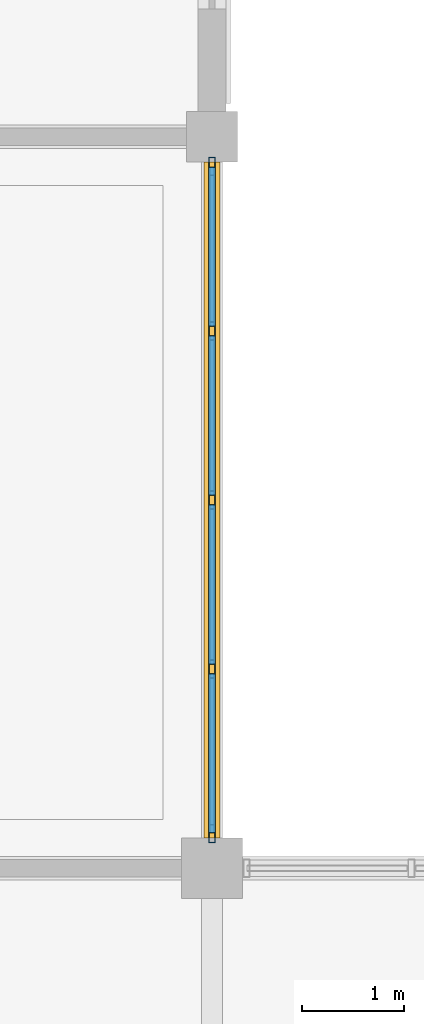
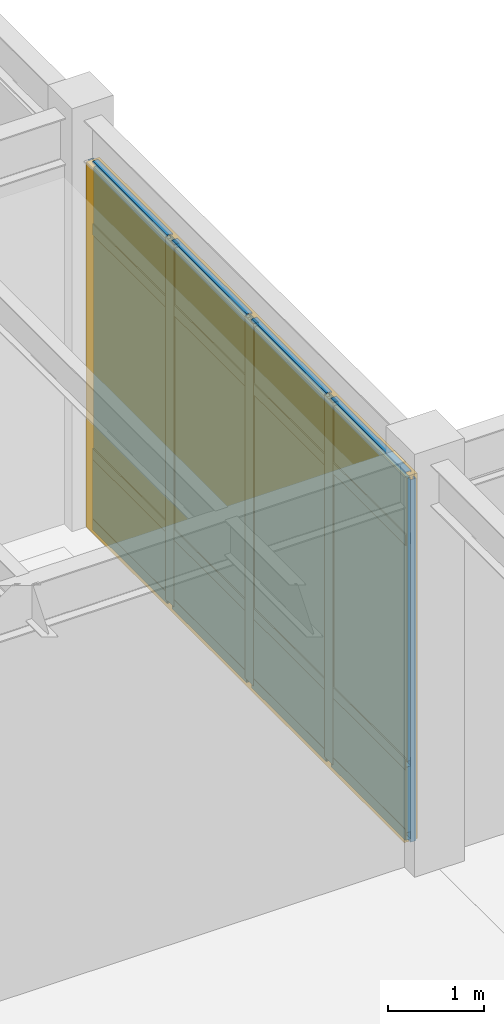
# One storey, part 75 of 97: 21 members, 8 plates, 1 curtain wall.
"""IFC4 building model written with IfcOpenShell, lengths in metres."""

from ifc_helpers import new_model, si_unit, direction, frame, origin, origin_2d, place, context, subcontext, project, spatial, rectangle, hollow_rectangle, extrude, material, layer, layer_set, material_profile, profile_set, type_object, element, aggregate, save


model = new_model("IFC4")

# Units and contexts
model_context = context("Model", 3, precision=1e-05, world=origin(), true_north=direction((0.0, 1.0)))
body_context = subcontext(model_context, "Body", "Model", "MODEL_VIEW")
ifc_project = project(units=[si_unit("LENGTHUNIT", "METRE"), si_unit("AREAUNIT", "SQUARE_METRE"), si_unit("VOLUMEUNIT", "CUBIC_METRE"), si_unit("PLANEANGLEUNIT", "RADIAN"), si_unit("MASSUNIT", "GRAM", prefix="KILO")], contexts=[model_context])

# Member
ifc_material_1 = material(Name="Anodized Aluminium 6063-T6", Category="aluminium")
ifc_material_profile_1 = material_profile(ifc_material_1, hollow_rectangle(XDim=0.06494140625, YDim=0.179931640625, WallThickness=0.00390625, at=origin_2d()), Name="ALU 65x180x4")
ifc_profile_set_1 = profile_set([ifc_material_profile_1], Name="Anodized Aluminium 6063-T6")
member_type_1 = type_object("IfcMemberType", Name="CWM-65X150", PredefinedType="MULLION", material=ifc_profile_set_1)
site_placement = place(None, origin())
building_placement = place(site_placement, origin())
storey_placement = place(building_placement, origin())
member_1_placement = place(storey_placement, frame((115.199951171875, 100.510009765625, 0.02001953125), z_axis=(0.0, 0.0, 1.0), x_axis=(1.0, 0.0, 0.0)))
member_1 = element("IfcMember", 1, at=member_1_placement, type_object=member_type_1, Name="Curtain wall mullion CW-L01-15-13-E-00", PredefinedType="MULLION", context=body_context, shape_type="SweptSolid", body=[
    extrude(hollow_rectangle(XDim=0.06494140625, YDim=0.179931640625, WallThickness=0.00390625, at=origin_2d()), origin(), (0.0, 0.0, 1.0), 4.626953125),
])

member_2_placement = place(storey_placement, frame((115.199951171875, 98.887451171875, 0.02001953125), z_axis=(0.0, 0.0, 1.0), x_axis=(1.0, 0.0, 0.0)))
member_2 = element("IfcMember", 2, at=member_2_placement, type_object=member_type_1, Name="Curtain wall mullion CW-L01-15-13-E-01", PredefinedType="MULLION", context=body_context, shape_type="SweptSolid", body=[
    extrude(hollow_rectangle(XDim=0.06494140625, YDim=0.179931640625, WallThickness=0.00390625, at=origin_2d()), origin(), (0.0, 0.0, 1.0), 4.626953125),
])

member_3_placement = place(storey_placement, frame((115.199951171875, 97.22509765625, 0.02001953125), z_axis=(0.0, 0.0, 1.0), x_axis=(1.0, 0.0, 0.0)))
member_3 = element("IfcMember", 3, at=member_3_placement, type_object=member_type_1, Name="Curtain wall mullion CW-L01-15-13-E-02", PredefinedType="MULLION", context=body_context, shape_type="SweptSolid", body=[
    extrude(hollow_rectangle(XDim=0.06494140625, YDim=0.179931640625, WallThickness=0.00390625, at=origin_2d()), origin(), (0.0, 0.0, 1.0), 4.626953125),
])

member_4_placement = place(storey_placement, frame((115.199951171875, 95.5625, 0.02001953125), z_axis=(0.0, 0.0, 1.0), x_axis=(1.0, 0.0, 0.0)))
member_4 = element("IfcMember", 4, at=member_4_placement, type_object=member_type_1, Name="Curtain wall mullion CW-L01-15-13-E-03", PredefinedType="MULLION", context=body_context, shape_type="SweptSolid", body=[
    extrude(hollow_rectangle(XDim=0.06494140625, YDim=0.179931640625, WallThickness=0.00390625, at=origin_2d()), origin(), (0.0, 0.0, 1.0), 4.626953125),
])

member_5_placement = place(storey_placement, frame((115.199951171875, 93.93994140625, 0.02001953125), z_axis=(0.0, 0.0, 1.0), x_axis=(1.0, 0.0, 0.0)))
member_5 = element("IfcMember", 5, at=member_5_placement, type_object=member_type_1, Name="Curtain wall mullion CW-L01-15-13-E-04", PredefinedType="MULLION", context=body_context, shape_type="SweptSolid", body=[
    extrude(hollow_rectangle(XDim=0.06494140625, YDim=0.179931640625, WallThickness=0.00390625, at=origin_2d()), origin(), (0.0, 0.0, 1.0), 4.626953125),
])

ifc_material_profile_2 = material_profile(ifc_material_1, hollow_rectangle(XDim=0.06494140625, YDim=0.139892578125, WallThickness=0.00390625, at=origin_2d()), Name="ALU 65x140x4")
ifc_profile_set_2 = profile_set([ifc_material_profile_2], Name="Anodized Aluminium 6063-T6")
member_type_2 = type_object("IfcMemberType", Name="CWT-65X120", PredefinedType="USERDEFINED", material=ifc_profile_set_2)
member_6_placement = place(storey_placement, frame((115.199951171875, 100.5, 0.050048828125), z_axis=(0.0, -1.0, 0.0), x_axis=(1.0, 0.0, 0.0)))
member_6 = element("IfcMember", 6, at=member_6_placement, type_object=member_type_2, Name="Curtain wall transom CW-L01-15-13-E-1.01", ObjectType="TRANSOM", PredefinedType="USERDEFINED", context=body_context, shape_type="SweptSolid", body=[
    extrude(hollow_rectangle(XDim=0.06494140625, YDim=0.139892578125, WallThickness=0.00390625, at=origin_2d()), origin(), (0.0, 0.0, 1.0), 1.5625),
])

member_7_placement = place(storey_placement, frame((115.199951171875, 98.83740234375, 0.050048828125), z_axis=(0.0, -1.0, 0.0), x_axis=(1.0, 0.0, 0.0)))
member_7 = element("IfcMember", 7, at=member_7_placement, type_object=member_type_2, Name="Curtain wall transom CW-L01-15-13-E-1.02", ObjectType="TRANSOM", PredefinedType="USERDEFINED", context=body_context, shape_type="SweptSolid", body=[
    extrude(hollow_rectangle(XDim=0.06494140625, YDim=0.139892578125, WallThickness=0.00390625, at=origin_2d()), origin(), (0.0, 0.0, 1.0), 1.5625),
])

member_8_placement = place(storey_placement, frame((115.199951171875, 97.175048828125, 0.050048828125), z_axis=(0.0, -1.0, 0.0), x_axis=(1.0, 0.0, 0.0)))
member_8 = element("IfcMember", 8, at=member_8_placement, type_object=member_type_2, Name="Curtain wall transom CW-L01-15-13-E-1.03", ObjectType="TRANSOM", PredefinedType="USERDEFINED", context=body_context, shape_type="SweptSolid", body=[
    extrude(hollow_rectangle(XDim=0.06494140625, YDim=0.139892578125, WallThickness=0.00390625, at=origin_2d()), origin(), (0.0, 0.0, 1.0), 1.5625),
])

member_9_placement = place(storey_placement, frame((115.199951171875, 95.512451171875, 0.050048828125), z_axis=(0.0, -1.0, 0.0), x_axis=(1.0, 0.0, 0.0)))
member_9 = element("IfcMember", 9, at=member_9_placement, type_object=member_type_2, Name="Curtain wall transom CW-L01-15-13-E-1.04", ObjectType="TRANSOM", PredefinedType="USERDEFINED", context=body_context, shape_type="SweptSolid", body=[
    extrude(hollow_rectangle(XDim=0.06494140625, YDim=0.139892578125, WallThickness=0.00390625, at=origin_2d()), origin(), (0.0, 0.0, 1.0), 1.5625),
])

member_10_placement = place(storey_placement, frame((115.199951171875, 100.5, 0.949951171875), z_axis=(0.0, -1.0, 0.0), x_axis=(1.0, 0.0, 0.0)))
member_10 = element("IfcMember", 10, at=member_10_placement, type_object=member_type_2, Name="Curtain wall transom CW-L01-15-13-E-2.01", ObjectType="TRANSOM", PredefinedType="USERDEFINED", context=body_context, shape_type="SweptSolid", body=[
    extrude(hollow_rectangle(XDim=0.06494140625, YDim=0.139892578125, WallThickness=0.00390625, at=origin_2d()), origin(), (0.0, 0.0, 1.0), 1.5625),
])

member_11_placement = place(storey_placement, frame((115.199951171875, 98.83740234375, 0.949951171875), z_axis=(0.0, -1.0, 0.0), x_axis=(1.0, 0.0, 0.0)))
member_11 = element("IfcMember", 11, at=member_11_placement, type_object=member_type_2, Name="Curtain wall transom CW-L01-15-13-E-2.02", ObjectType="TRANSOM", PredefinedType="USERDEFINED", context=body_context, shape_type="SweptSolid", body=[
    extrude(hollow_rectangle(XDim=0.06494140625, YDim=0.139892578125, WallThickness=0.00390625, at=origin_2d()), origin(), (0.0, 0.0, 1.0), 1.5625),
])

member_12_placement = place(storey_placement, frame((115.199951171875, 97.175048828125, 0.949951171875), z_axis=(0.0, -1.0, 0.0), x_axis=(1.0, 0.0, 0.0)))
member_12 = element("IfcMember", 12, at=member_12_placement, type_object=member_type_2, Name="Curtain wall transom CW-L01-15-13-E-2.03", ObjectType="TRANSOM", PredefinedType="USERDEFINED", context=body_context, shape_type="SweptSolid", body=[
    extrude(hollow_rectangle(XDim=0.06494140625, YDim=0.139892578125, WallThickness=0.00390625, at=origin_2d()), origin(), (0.0, 0.0, 1.0), 1.5625),
])

member_13_placement = place(storey_placement, frame((115.199951171875, 95.512451171875, 0.949951171875), z_axis=(0.0, -1.0, 0.0), x_axis=(1.0, 0.0, 0.0)))
member_13 = element("IfcMember", 13, at=member_13_placement, type_object=member_type_2, Name="Curtain wall transom CW-L01-15-13-E-2.04", ObjectType="TRANSOM", PredefinedType="USERDEFINED", context=body_context, shape_type="SweptSolid", body=[
    extrude(hollow_rectangle(XDim=0.06494140625, YDim=0.139892578125, WallThickness=0.00390625, at=origin_2d()), origin(), (0.0, 0.0, 1.0), 1.5625),
])

member_14_placement = place(storey_placement, frame((115.199951171875, 100.5, 3.81689453125), z_axis=(0.0, -1.0, 0.0), x_axis=(1.0, 0.0, 0.0)))
member_14 = element("IfcMember", 14, at=member_14_placement, type_object=member_type_2, Name="Curtain wall transom CW-L01-15-13-E-3.01", ObjectType="TRANSOM", PredefinedType="USERDEFINED", context=body_context, shape_type="SweptSolid", body=[
    extrude(hollow_rectangle(XDim=0.06494140625, YDim=0.139892578125, WallThickness=0.00390625, at=origin_2d()), origin(), (0.0, 0.0, 1.0), 1.5625),
])

member_15_placement = place(storey_placement, frame((115.199951171875, 98.83740234375, 3.81689453125), z_axis=(0.0, -1.0, 0.0), x_axis=(1.0, 0.0, 0.0)))
member_15 = element("IfcMember", 15, at=member_15_placement, type_object=member_type_2, Name="Curtain wall transom CW-L01-15-13-E-3.02", ObjectType="TRANSOM", PredefinedType="USERDEFINED", context=body_context, shape_type="SweptSolid", body=[
    extrude(hollow_rectangle(XDim=0.06494140625, YDim=0.139892578125, WallThickness=0.00390625, at=origin_2d()), origin(), (0.0, 0.0, 1.0), 1.5625),
])

member_16_placement = place(storey_placement, frame((115.199951171875, 97.175048828125, 3.81689453125), z_axis=(0.0, -1.0, 0.0), x_axis=(1.0, 0.0, 0.0)))
member_16 = element("IfcMember", 16, at=member_16_placement, type_object=member_type_2, Name="Curtain wall transom CW-L01-15-13-E-3.03", ObjectType="TRANSOM", PredefinedType="USERDEFINED", context=body_context, shape_type="SweptSolid", body=[
    extrude(hollow_rectangle(XDim=0.06494140625, YDim=0.139892578125, WallThickness=0.00390625, at=origin_2d()), origin(), (0.0, 0.0, 1.0), 1.5625),
])

member_17_placement = place(storey_placement, frame((115.199951171875, 95.512451171875, 3.81689453125), z_axis=(0.0, -1.0, 0.0), x_axis=(1.0, 0.0, 0.0)))
member_17 = element("IfcMember", 17, at=member_17_placement, type_object=member_type_2, Name="Curtain wall transom CW-L01-15-13-E-3.04", ObjectType="TRANSOM", PredefinedType="USERDEFINED", context=body_context, shape_type="SweptSolid", body=[
    extrude(hollow_rectangle(XDim=0.06494140625, YDim=0.139892578125, WallThickness=0.00390625, at=origin_2d()), origin(), (0.0, 0.0, 1.0), 1.5625),
])

member_18_placement = place(storey_placement, frame((115.199951171875, 100.5, 4.616943359375), z_axis=(0.0, -1.0, 0.0), x_axis=(1.0, 0.0, 0.0)))
member_18 = element("IfcMember", 18, at=member_18_placement, type_object=member_type_2, Name="Curtain wall transom CW-L01-15-13-E-4.01", ObjectType="TRANSOM", PredefinedType="USERDEFINED", context=body_context, shape_type="SweptSolid", body=[
    extrude(hollow_rectangle(XDim=0.06494140625, YDim=0.139892578125, WallThickness=0.00390625, at=origin_2d()), origin(), (0.0, 0.0, 1.0), 1.5625),
])

member_19_placement = place(storey_placement, frame((115.199951171875, 98.83740234375, 4.616943359375), z_axis=(0.0, -1.0, 0.0), x_axis=(1.0, 0.0, 0.0)))
member_19 = element("IfcMember", 19, at=member_19_placement, type_object=member_type_2, Name="Curtain wall transom CW-L01-15-13-E-4.02", ObjectType="TRANSOM", PredefinedType="USERDEFINED", context=body_context, shape_type="SweptSolid", body=[
    extrude(hollow_rectangle(XDim=0.06494140625, YDim=0.139892578125, WallThickness=0.00390625, at=origin_2d()), origin(), (0.0, 0.0, 1.0), 1.5625),
])

member_20_placement = place(storey_placement, frame((115.199951171875, 97.175048828125, 4.616943359375), z_axis=(0.0, -1.0, 0.0), x_axis=(1.0, 0.0, 0.0)))
member_20 = element("IfcMember", 20, at=member_20_placement, type_object=member_type_2, Name="Curtain wall transom CW-L01-15-13-E-4.03", ObjectType="TRANSOM", PredefinedType="USERDEFINED", context=body_context, shape_type="SweptSolid", body=[
    extrude(hollow_rectangle(XDim=0.06494140625, YDim=0.139892578125, WallThickness=0.00390625, at=origin_2d()), origin(), (0.0, 0.0, 1.0), 1.5625),
])

member_21_placement = place(storey_placement, frame((115.199951171875, 95.512451171875, 4.616943359375), z_axis=(0.0, -1.0, 0.0), x_axis=(1.0, 0.0, 0.0)))
member_21 = element("IfcMember", 21, at=member_21_placement, type_object=member_type_2, Name="Curtain wall transom CW-L01-15-13-E-4.04", ObjectType="TRANSOM", PredefinedType="USERDEFINED", context=body_context, shape_type="SweptSolid", body=[
    extrude(hollow_rectangle(XDim=0.06494140625, YDim=0.139892578125, WallThickness=0.00390625, at=origin_2d()), origin(), (0.0, 0.0, 1.0), 1.5625),
])

# Plate
ifc_material_2 = material(Name="Double Low-E Insulated Glazing Unit", Category="glass")
ifc_layer_1 = layer(ifc_material_2, 0.0380859375)
ifc_layer_set_1 = layer_set([ifc_layer_1], Name="Double Low-E Insulated Glazing Unit")
plate_type_1 = type_object("IfcPlateType", Name="CWP-IGU-38", PredefinedType="CURTAIN_PANEL", material=ifc_layer_set_1)
plate_1_placement = place(storey_placement, frame((115.199951171875, 99.71875, 0.990234375), z_axis=(0.0, 0.0, 1.0), x_axis=(0.0, -1.0, 0.0)))
plate_1 = element("IfcPlate", 22, at=plate_1_placement, type_object=plate_type_1, Name="Curtain wall vision glazing CW-L01-15-13-E-01", PredefinedType="CURTAIN_PANEL", context=body_context, shape_type="SweptSolid", body=[
    extrude(rectangle(XDim=1.572509765625, YDim=0.0400390625, at=origin_2d()), origin(), (0.0, 0.0, 1.0), 3.616943359375),
])

plate_2_placement = place(storey_placement, frame((115.199951171875, 98.056396484375, 0.990234375), z_axis=(0.0, 0.0, 1.0), x_axis=(0.0, -1.0, 0.0)))
plate_2 = element("IfcPlate", 23, at=plate_2_placement, type_object=plate_type_1, Name="Curtain wall vision glazing CW-L01-15-13-E-02", PredefinedType="CURTAIN_PANEL", context=body_context, shape_type="SweptSolid", body=[
    extrude(rectangle(XDim=1.572509765625, YDim=0.0400390625, at=origin_2d()), origin(), (0.0, 0.0, 1.0), 3.616943359375),
])

plate_3_placement = place(storey_placement, frame((115.199951171875, 96.393798828125, 0.990234375), z_axis=(0.0, 0.0, 1.0), x_axis=(0.0, -1.0, 0.0)))
plate_3 = element("IfcPlate", 24, at=plate_3_placement, type_object=plate_type_1, Name="Curtain wall vision glazing CW-L01-15-13-E-03", PredefinedType="CURTAIN_PANEL", context=body_context, shape_type="SweptSolid", body=[
    extrude(rectangle(XDim=1.572509765625, YDim=0.0400390625, at=origin_2d()), origin(), (0.0, 0.0, 1.0), 3.616943359375),
])

plate_4_placement = place(storey_placement, frame((115.199951171875, 94.731201171875, 0.990234375), z_axis=(0.0, 0.0, 1.0), x_axis=(0.0, -1.0, 0.0)))
plate_4 = element("IfcPlate", 25, at=plate_4_placement, type_object=plate_type_1, Name="Curtain wall vision glazing CW-L01-15-13-E-04", PredefinedType="CURTAIN_PANEL", context=body_context, shape_type="SweptSolid", body=[
    extrude(rectangle(XDim=1.572509765625, YDim=0.0400390625, at=origin_2d()), origin(), (0.0, 0.0, 1.0), 3.616943359375),
])

ifc_material_3 = material(Name="Insulated Bronze Aluminium Spandrel", Category="aluminium")
ifc_layer_2 = layer(ifc_material_3, 0.06005859375)
ifc_layer_set_2 = layer_set([ifc_layer_2], Name="Insulated Bronze Aluminium Spandrel")
plate_type_2 = type_object("IfcPlateType", Name="CWP-SPN-60", PredefinedType="CURTAIN_PANEL", material=ifc_layer_set_2)
plate_5_placement = place(storey_placement, frame((115.199951171875, 99.71875, 0.080078125), z_axis=(0.0, 0.0, 1.0), x_axis=(0.0, -1.0, 0.0)))
plate_5 = element("IfcPlate", 26, at=plate_5_placement, type_object=plate_type_2, Name="Curtain wall spandrel panel CW-L01-15-13-E-01", PredefinedType="CURTAIN_PANEL", context=body_context, shape_type="SweptSolid", body=[
    extrude(rectangle(XDim=1.572509765625, YDim=0.06005859375, at=origin_2d()), origin(), (0.0, 0.0, 1.0), 0.840087890625),
])

plate_6_placement = place(storey_placement, frame((115.199951171875, 98.056396484375, 0.080078125), z_axis=(0.0, 0.0, 1.0), x_axis=(0.0, -1.0, 0.0)))
plate_6 = element("IfcPlate", 27, at=plate_6_placement, type_object=plate_type_2, Name="Curtain wall spandrel panel CW-L01-15-13-E-02", PredefinedType="CURTAIN_PANEL", context=body_context, shape_type="SweptSolid", body=[
    extrude(rectangle(XDim=1.572509765625, YDim=0.06005859375, at=origin_2d()), origin(), (0.0, 0.0, 1.0), 0.840087890625),
])

plate_7_placement = place(storey_placement, frame((115.199951171875, 96.393798828125, 0.080078125), z_axis=(0.0, 0.0, 1.0), x_axis=(0.0, -1.0, 0.0)))
plate_7 = element("IfcPlate", 28, at=plate_7_placement, type_object=plate_type_2, Name="Curtain wall spandrel panel CW-L01-15-13-E-03", PredefinedType="CURTAIN_PANEL", context=body_context, shape_type="SweptSolid", body=[
    extrude(rectangle(XDim=1.572509765625, YDim=0.06005859375, at=origin_2d()), origin(), (0.0, 0.0, 1.0), 0.840087890625),
])

plate_8_placement = place(storey_placement, frame((115.199951171875, 94.731201171875, 0.080078125), z_axis=(0.0, 0.0, 1.0), x_axis=(0.0, -1.0, 0.0)))
plate_8 = element("IfcPlate", 29, at=plate_8_placement, type_object=plate_type_2, Name="Curtain wall spandrel panel CW-L01-15-13-E-04", PredefinedType="CURTAIN_PANEL", context=body_context, shape_type="SweptSolid", body=[
    extrude(rectangle(XDim=1.572509765625, YDim=0.06005859375, at=origin_2d()), origin(), (0.0, 0.0, 1.0), 0.840087890625),
])

# Site, building, storey
site = spatial("IfcSite", under=ifc_project, at=site_placement, CompositionType="ELEMENT")
building = spatial("IfcBuilding", under=site, at=building_placement, Name="Sillqori Civic Hall", CompositionType="ELEMENT")
storey = spatial("IfcBuildingStorey", under=building, at=storey_placement, Name="L01", CompositionType="ELEMENT", Elevation=0.0)

# Curtain wall
ifc_material_4 = material(Name="Anodized Aluminium Curtain Wall System", Category="aluminium")
curtain_wall_type = type_object("IfcCurtainWallType", Name="CW-SF-540", PredefinedType="NOTDEFINED", material=ifc_material_4)
curtain_wall_placement = place(storey_placement, frame((115.199951171875, 97.22509765625, 0.0), z_axis=(0.0, 0.0, 1.0), x_axis=(0.0, -1.0, 0.0)))
curtain_wall = element("IfcCurtainWall", 30, at=curtain_wall_placement, inside=storey, type_object=curtain_wall_type, Name="L01 unitised curtain wall CW-L01-15-13-E", PredefinedType="NOTDEFINED", context=body_context, shape_type="SweptSolid", body=[
    extrude(rectangle(XDim=6.64990234375, YDim=0.159912109375, at=origin_2d()), origin(), (0.0, 0.0, 1.0), 4.6669921875),
])

aggregate(curtain_wall, [member_1, member_2, member_3, member_4, member_5, member_6, member_7, member_8, member_9, member_10, member_11, member_12, member_13, member_14, member_15, member_16, member_17, member_18, member_19, member_20, member_21, plate_5, plate_1, plate_6, plate_2, plate_7, plate_3, plate_8, plate_4])

save(model, "model.ifc")
